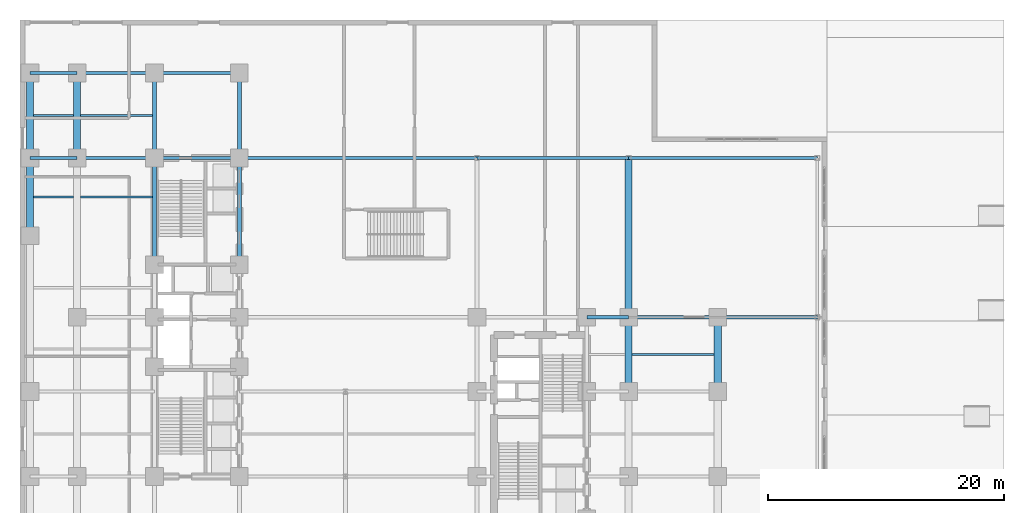
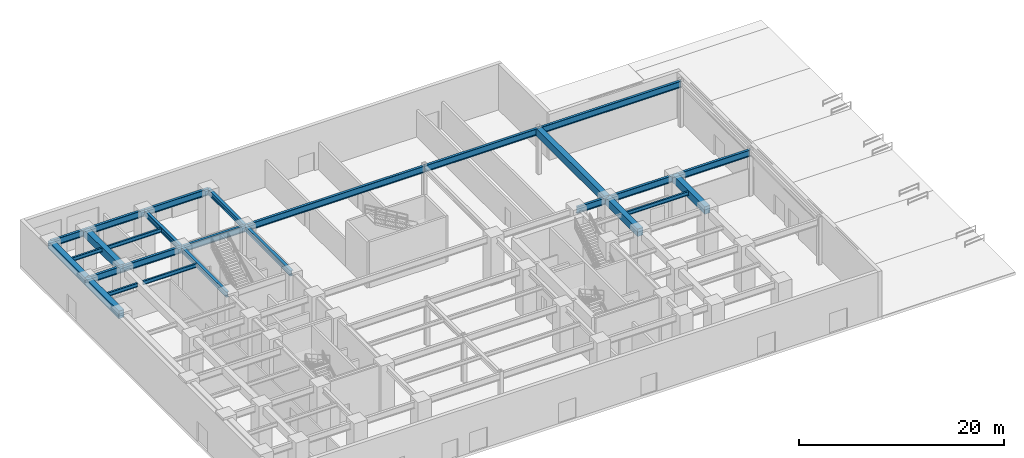
# One storey, part 4 of 18: 27 beams.
"""IFC4 building model written with IfcOpenShell, lengths in metres."""

import ifcopenshell
import ifcopenshell.guid

model = None  # the IFC model being written
_history = None  # IfcOwnerHistory: only IFC2X3 demands one
_inside = {}  # id of a spatial element -> (the spatial element, [elements in it])
_under = {}  # id of a project, library or spatial element -> (it, [spatial elements below it])
_declared = {}  # id of a project -> (the project, [libraries it declares])
_typed = {}  # id of a type object -> (the type object, [elements of that type])
_made_of = {}  # id of a material, layer set ... -> (it, [elements and type objects made of it])


def new_model(schema):
    """Start an empty IFC model of exactly this schema.

    Asked for "IFC4X3", IfcOpenShell would pick the latest addendum, in which some entities
    have other attributes; the version numbers below select the first issue.
    IFC2X3 requires an IfcOwnerHistory on every rooted entity: one is made here for all.
    """
    global model, _history
    if schema == "IFC4X3":
        model = ifcopenshell.file(schema_version=(4, 3, 0, 0))
    else:
        model = ifcopenshell.file(schema=schema)
    _inside.clear()
    _under.clear()
    _declared.clear()
    _typed.clear()
    _made_of.clear()
    _history = None
    if model.schema == "IFC2X3":
        org = make("IfcOrganization", Name="unknown")
        user = make(
            "IfcPersonAndOrganization",
            ThePerson=make("IfcPerson", FamilyName="unknown"),
            TheOrganization=org,
        )
        app = make(
            "IfcApplication",
            ApplicationDeveloper=org,
            Version="unknown",
            ApplicationFullName="unknown",
            ApplicationIdentifier="unknown",
        )
        _history = make(
            "IfcOwnerHistory",
            OwningUser=user,
            OwningApplication=app,
            ChangeAction="ADDED",
            CreationDate=0,
        )
    return model


def make(cls, **values):
    """One entity of the class cls with the attributes given. An attribute that is None is left unset."""
    return model.create_entity(
        cls, **{name: value for name, value in values.items() if value is not None}
    )


def entity(cls, *values):
    """Any entity or typed value of the class cls, its attributes in the order of the schema. None: left unset."""
    e = model.create_entity(cls)
    for i, value in enumerate(values):
        if value is not None:
            e[i] = value
    return e


def rooted(cls, **values):
    """An entity with a GlobalId (a new one), such as an element, a storey or a relation."""
    return make(cls, GlobalId=ifcopenshell.guid.new(), OwnerHistory=_history, **values)


def si_unit(unit_type, name, prefix=None):
    """IfcSIUnit, for example si_unit("LENGTHUNIT", "METRE", prefix="MILLI")."""
    return make("IfcSIUnit", UnitType=unit_type, Prefix=prefix, Name=name)


def converted_unit(unit_type, name, factor, base, dimensions=None, offset=None):
    """IfcConversionBasedUnit, such as the inch: factor (a typed value) times the base unit."""
    return make(
        "IfcConversionBasedUnit"
        if offset is None
        else "IfcConversionBasedUnitWithOffset",
        ConversionOffset=offset,
        Dimensions=None
        if dimensions is None
        else entity("IfcDimensionalExponents", *dimensions),
        UnitType=unit_type,
        Name=name,
        ConversionFactor=make(
            "IfcMeasureWithUnit", ValueComponent=factor, UnitComponent=base
        ),
    )


def assignment(units):
    """IfcUnitAssignment: the units of a project."""
    return None if units is None else make("IfcUnitAssignment", Units=units)


def point(xyz):
    """IfcCartesianPoint."""
    return None if xyz is None else make("IfcCartesianPoint", Coordinates=xyz)


def direction(xyz):
    """IfcDirection."""
    return None if xyz is None else make("IfcDirection", DirectionRatios=xyz)


def frame(location, z_axis=None, x_axis=None):
    """IfcAxis2Placement3D, a coordinate frame: its origin and axes. An axis left out is left unset."""
    return make(
        "IfcAxis2Placement3D",
        Location=point(location),
        Axis=direction(z_axis),
        RefDirection=direction(x_axis),
    )


def frame_2d(location, x_axis=None):
    """IfcAxis2Placement2D, a coordinate frame in the plane: its origin and x axis."""
    return make(
        "IfcAxis2Placement2D", Location=point(location), RefDirection=direction(x_axis)
    )


def origin_with_axes():
    """The frame at (0, 0, 0) with the z axis (0, 0, 1) and the x axis (1, 0, 0) written out."""
    return frame((0.0, 0.0, 0.0), z_axis=(0.0, 0.0, 1.0), x_axis=(1.0, 0.0, 0.0))


def origin_2d_with_axis():
    """The frame at (0, 0) in the plane with the x axis (1, 0) written out."""
    return frame_2d((0.0, 0.0), x_axis=(1.0, 0.0))


def place(relative_to, where):
    """IfcLocalPlacement: puts the frame where relative to a parent placement (None: the world)."""
    return make(
        "IfcLocalPlacement", PlacementRelTo=relative_to, RelativePlacement=where
    )


def context(
    kind, dimensions, precision=None, world=None, true_north=None, identifier=None
):
    """IfcGeometricRepresentationContext, for example the 3D "Model" context."""
    return make(
        "IfcGeometricRepresentationContext",
        ContextIdentifier=identifier,
        ContextType=kind,
        CoordinateSpaceDimension=dimensions,
        Precision=precision,
        WorldCoordinateSystem=world,
        TrueNorth=true_north,
    )


def subcontext(parent, identifier, kind, view, scale=None):
    """IfcGeometricRepresentationSubContext, for example "Body" below "Model"."""
    return make(
        "IfcGeometricRepresentationSubContext",
        ContextIdentifier=identifier,
        ContextType=kind,
        ParentContext=parent,
        TargetScale=scale,
        TargetView=view,
    )


def project(units=None, contexts=None):
    """IfcProject with its units and contexts."""
    return rooted(
        "IfcProject",
        Name="project",
        RepresentationContexts=contexts,
        UnitsInContext=assignment(units),
    )


def spatial(cls, under=None, at=None, **own):
    """A site, building, storey or space (cls), placed at a placement, below another one or the project."""
    s = rooted(cls, ObjectPlacement=at, **own)
    if under is not None:
        _under.setdefault(under.id(), (under, []))[1].append(s)
    return s


def profile(cls, at=None, kind="AREA", **sizes):
    """A parametric profile (cls). Its sizes go by their IFC names, for example OverallWidth=200.0."""
    return make(cls, ProfileType=kind, Position=at, **sizes)


def rectangle(**sizes):
    """IfcRectangleProfileDef."""
    return profile("IfcRectangleProfileDef", **sizes)


def i_section(**sizes):
    """IfcIShapeProfileDef."""
    return profile("IfcIShapeProfileDef", **sizes)


def extrude(swept, where, along, depth):
    """IfcExtrudedAreaSolid: the profile swept, set in the frame where, extruded along a direction by depth."""
    return make(
        "IfcExtrudedAreaSolid",
        SweptArea=swept,
        Position=where,
        ExtrudedDirection=direction(along),
        Depth=depth,
    )


def shape(context_of_items, identifier, shape_type, items):
    """IfcShapeRepresentation: the items that make up one representation, for example the "Body"."""
    return make(
        "IfcShapeRepresentation",
        ContextOfItems=context_of_items,
        RepresentationIdentifier=identifier,
        RepresentationType=shape_type,
        Items=items,
    )


def material(Name=None, Category=None):
    """IfcMaterial."""
    return make("IfcMaterial", Name=Name, Category=Category)


def material_profile(
    of_material, cross_section, Name=None, Category=None, Priority=None
):
    """IfcMaterialProfile: a cross section and its material."""
    return make(
        "IfcMaterialProfile",
        Name=Name,
        Material=of_material,
        Profile=cross_section,
        Priority=Priority,
        Category=Category,
    )


def profile_set(profiles, Name=None, composite=None):
    """IfcMaterialProfileSet."""
    return make(
        "IfcMaterialProfileSet",
        Name=Name,
        MaterialProfiles=profiles,
        CompositeProfile=composite,
    )


def made_of(thing, what):
    """Note that an element or type object is made of a material, layer set ...; save() writes the relation."""
    if what is not None:
        _made_of.setdefault(what.id(), (what, []))[1].append(thing)
    return thing


def type_object(cls, material=None, **own):
    """A type object (cls), such as IfcWallType, which elements share."""
    return made_of(rooted(cls, **own), material)


def element(
    cls,
    number,
    at=None,
    inside=None,
    cuts=None,
    type_object=None,
    material=None,
    context=None,
    identifier="Body",
    shape_type=None,
    held_by="IfcProductDefinitionShape",
    body=None,
    shapes=None,
    **own,
):
    """One element of the class cls, such as IfcWall. Its Tag is "e" and its number.

    at: its placement. inside: the storey or other place that contains it. cuts: it is an
    opening in that element (IfcRelVoidsElement). A single representation is given by context,
    identifier, shape_type and body (its items); several are given by shapes. held_by: the class
    of the entity that holds the representations. save() writes the other relations.
    """
    e = rooted(cls, Tag="e%d" % number, ObjectPlacement=at, **own)
    if body is not None:
        shapes = [shape(context, identifier, shape_type, body)]
    if shapes is not None:
        e.Representation = make(held_by, Representations=shapes)
    if inside is not None:
        _inside.setdefault(inside.id(), (inside, []))[1].append(e)
    if cuts is not None:
        rooted(
            "IfcRelVoidsElement", RelatingBuildingElement=cuts, RelatedOpeningElement=e
        )
    if type_object is not None:
        _typed.setdefault(type_object.id(), (type_object, []))[1].append(e)
    return made_of(e, material)


def aggregate(whole, parts):
    """IfcRelAggregates: a whole, such as a stair, and the parts it consists of."""
    return rooted("IfcRelAggregates", RelatingObject=whole, RelatedObjects=parts)


def save(model, path):
    """Write the relations noted so far, then the file.

    IfcRelAggregates (storeys below a building ...), IfcRelContainedInSpatialStructure (elements
    in a storey), IfcRelDefinesByType, IfcRelAssociatesMaterial and IfcRelDeclares: one each for
    every whole, place, type object, material and project.
    """
    for whole, parts in _under.values():
        aggregate(whole, parts)
    for where, things in _inside.values():
        rooted(
            "IfcRelContainedInSpatialStructure",
            RelatedElements=things,
            RelatingStructure=where,
        )
    for kind, things in _typed.values():
        rooted("IfcRelDefinesByType", RelatedObjects=things, RelatingType=kind)
    for what, things in _made_of.values():
        rooted("IfcRelAssociatesMaterial", RelatedObjects=things, RelatingMaterial=what)
    for by, libraries in _declared.values():
        rooted("IfcRelDeclares", RelatingContext=by, RelatedDefinitions=libraries)
    model.write(path)


model = new_model("IFC4")

# Units and contexts
model_context = context("Model", 3, precision=1e-05, world=origin_with_axes(), true_north=direction((0.0, 1.0)))
body_context = subcontext(model_context, "Body", "Model", "MODEL_VIEW")
ifc_project = project(units=[si_unit("LENGTHUNIT", "METRE"), si_unit("AREAUNIT", "SQUARE_METRE"), si_unit("VOLUMEUNIT", "CUBIC_METRE"), converted_unit("PLANEANGLEUNIT", "DEGREE", entity("IfcPlaneAngleMeasure", 0.017453292519943295), si_unit("PLANEANGLEUNIT", "RADIAN"), dimensions=[0, 0, 0, 0, 0, 0, 0]), si_unit("MASSUNIT", "GRAM", prefix="KILO"), si_unit("THERMODYNAMICTEMPERATUREUNIT", "KELVIN")], contexts=[model_context])

# Site, building, storey
site_placement = place(None, origin_with_axes())
site = spatial("IfcSite", under=ifc_project, at=site_placement, CompositionType="ELEMENT")
building_placement = place(site_placement, origin_with_axes())
building = spatial("IfcBuilding", under=site, at=building_placement, Name="Varnlund Millrace Tower", CompositionType="ELEMENT")
storey_placement = place(building_placement, origin_with_axes())
storey = spatial("IfcBuildingStorey", under=building, at=storey_placement, Name="L00", CompositionType="ELEMENT", Elevation=0.0)

# Beams
ifc_material_1 = material(Name="Steel ASTM A992 Grade 50", Category="steel")
ifc_material_profile_1 = material_profile(ifc_material_1, i_section(OverallWidth=0.328, OverallDepth=0.628, WebThickness=0.0165, FlangeThickness=0.0277, FilletRadius=0.018, at=origin_2d_with_axis()), Name="Steel ASTM A992 Grade 50")
ifc_profile_set_1 = profile_set([ifc_material_profile_1], Name="Steel ASTM A992 Grade 50")
beam_type_1 = type_object("IfcBeamType", Name="Type-Girder-W24X146", PredefinedType="USERDEFINED", material=ifc_profile_set_1)
beam_1_placement = place(storey_placement, frame((11.4, 28.75, 5.146), z_axis=(0.0, 1.0, 0.0), x_axis=(-1.0, 0.0, 0.0)))
element("IfcBeam", 1, at=beam_1_placement, inside=storey, type_object=beam_type_1, Name="Type-Girder-W24X146", ObjectType="GIRDER", PredefinedType="USERDEFINED", context=body_context, shape_type="SweptSolid", body=[
    extrude(i_section(OverallWidth=0.328, OverallDepth=0.628, WebThickness=0.0165, FlangeThickness=0.0277, FilletRadius=0.018, at=origin_2d_with_axis()), origin_with_axes(), (0.0, 0.0, 1.0), 9.05),
])
beam_2_placement = place(storey_placement, frame((11.4, 37.8, 5.146), z_axis=(0.0, 1.0, 0.0), x_axis=(-1.0, 0.0, 0.0)))
element("IfcBeam", 2, at=beam_2_placement, inside=storey, type_object=beam_type_1, Name="Type-Girder-W24X146", ObjectType="GIRDER", PredefinedType="USERDEFINED", context=body_context, shape_type="SweptSolid", body=[
    extrude(i_section(OverallWidth=0.328, OverallDepth=0.628, WebThickness=0.0165, FlangeThickness=0.0277, FilletRadius=0.018, at=origin_2d_with_axis()), origin_with_axes(), (0.0, 0.0, 1.0), 7.2),
])
beam_3_placement = place(storey_placement, frame((18.6, 28.75, 5.146), z_axis=(0.0, 1.0, 0.0), x_axis=(-1.0, 0.0, 0.0)))
element("IfcBeam", 3, at=beam_3_placement, inside=storey, type_object=beam_type_1, Name="Type-Girder-W24X146", ObjectType="GIRDER", PredefinedType="USERDEFINED", context=body_context, shape_type="SweptSolid", body=[
    extrude(i_section(OverallWidth=0.328, OverallDepth=0.628, WebThickness=0.0165, FlangeThickness=0.0277, FilletRadius=0.018, at=origin_2d_with_axis()), origin_with_axes(), (0.0, 0.0, 1.0), 9.05),
])
beam_4_placement = place(storey_placement, frame((18.6, 37.8, 5.146), z_axis=(0.0, 1.0, 0.0), x_axis=(-1.0, 0.0, 0.0)))
element("IfcBeam", 4, at=beam_4_placement, inside=storey, type_object=beam_type_1, Name="Type-Girder-W24X146", ObjectType="GIRDER", PredefinedType="USERDEFINED", context=body_context, shape_type="SweptSolid", body=[
    extrude(i_section(OverallWidth=0.328, OverallDepth=0.628, WebThickness=0.0165, FlangeThickness=0.0277, FilletRadius=0.018, at=origin_2d_with_axis()), origin_with_axes(), (0.0, 0.0, 1.0), 7.2),
])
ifc_material_profile_2 = material_profile(ifc_material_1, i_section(OverallWidth=0.266, OverallDepth=0.779, WebThickness=0.0165, FlangeThickness=0.03, FilletRadius=0.02, at=origin_2d_with_axis()), Name="Steel ASTM A992 Grade 50")
ifc_profile_set_2 = profile_set([ifc_material_profile_2], Name="Steel ASTM A992 Grade 50")
beam_type_2 = type_object("IfcBeamType", Name="Type-Girder-W30X148", PredefinedType="USERDEFINED", material=ifc_profile_set_2)
beam_5_placement = place(storey_placement, frame((48.05, 24.3, 5.0705), z_axis=(1.0, 0.0, 0.0), x_axis=(0.0, 1.0, 0.0)))
element("IfcBeam", 5, at=beam_5_placement, inside=storey, type_object=beam_type_2, Name="Type-Girder-W30X148", ObjectType="GIRDER", PredefinedType="USERDEFINED", context=body_context, shape_type="SweptSolid", body=[
    extrude(i_section(OverallWidth=0.266, OverallDepth=0.779, WebThickness=0.0165, FlangeThickness=0.03, FilletRadius=0.02, at=origin_2d_with_axis()), origin_with_axes(), (0.0, 0.0, 1.0), 3.55),
])
beam_6_placement = place(storey_placement, frame((51.6, 24.3, 5.0705), z_axis=(1.0, 0.0, 0.0), x_axis=(0.0, 1.0, 0.0)))
element("IfcBeam", 6, at=beam_6_placement, inside=storey, type_object=beam_type_2, Name="Type-Girder-W30X148", ObjectType="GIRDER", PredefinedType="USERDEFINED", context=body_context, shape_type="SweptSolid", body=[
    extrude(i_section(OverallWidth=0.266, OverallDepth=0.779, WebThickness=0.0165, FlangeThickness=0.03, FilletRadius=0.02, at=origin_2d_with_axis()), origin_with_axes(), (0.0, 0.0, 1.0), 7.55),
])
beam_7_placement = place(storey_placement, frame((59.15, 24.3, 5.0705), z_axis=(1.0, 0.0, 0.0), x_axis=(0.0, 1.0, 0.0)))
element("IfcBeam", 7, at=beam_7_placement, inside=storey, type_object=beam_type_2, Name="Type-Girder-W30X148", ObjectType="GIRDER", PredefinedType="USERDEFINED", context=body_context, shape_type="SweptSolid", body=[
    extrude(i_section(OverallWidth=0.266, OverallDepth=0.779, WebThickness=0.0165, FlangeThickness=0.03, FilletRadius=0.02, at=origin_2d_with_axis()), origin_with_axes(), (0.0, 0.0, 1.0), 8.45),
])
beam_8_placement = place(storey_placement, frame((0.85, 37.8, 5.0705), z_axis=(1.0, 0.0, 0.0), x_axis=(0.0, 1.0, 0.0)))
element("IfcBeam", 8, at=beam_8_placement, inside=storey, type_object=beam_type_2, Name="Type-Girder-W30X148", ObjectType="GIRDER", PredefinedType="USERDEFINED", context=body_context, shape_type="SweptSolid", body=[
    extrude(i_section(OverallWidth=0.266, OverallDepth=0.779, WebThickness=0.0165, FlangeThickness=0.03, FilletRadius=0.02, at=origin_2d_with_axis()), origin_with_axes(), (0.0, 0.0, 1.0), 4.0),
])
beam_9_placement = place(storey_placement, frame((4.85, 37.8, 5.0705), z_axis=(1.0, 0.0, 0.0), x_axis=(0.0, 1.0, 0.0)))
element("IfcBeam", 9, at=beam_9_placement, inside=storey, type_object=beam_type_2, Name="Type-Girder-W30X148", ObjectType="GIRDER", PredefinedType="USERDEFINED", context=body_context, shape_type="SweptSolid", body=[
    extrude(i_section(OverallWidth=0.266, OverallDepth=0.779, WebThickness=0.0165, FlangeThickness=0.03, FilletRadius=0.02, at=origin_2d_with_axis()), origin_with_axes(), (0.0, 0.0, 1.0), 6.55),
])
beam_10_placement = place(storey_placement, frame((11.4, 37.8, 5.0705), z_axis=(1.0, 0.0, 0.0), x_axis=(0.0, 1.0, 0.0)))
element("IfcBeam", 10, at=beam_10_placement, inside=storey, type_object=beam_type_2, Name="Type-Girder-W30X148", ObjectType="GIRDER", PredefinedType="USERDEFINED", context=body_context, shape_type="SweptSolid", body=[
    extrude(i_section(OverallWidth=0.266, OverallDepth=0.779, WebThickness=0.0165, FlangeThickness=0.03, FilletRadius=0.02, at=origin_2d_with_axis()), origin_with_axes(), (0.0, 0.0, 1.0), 7.2),
])
beam_11_placement = place(storey_placement, frame((18.6, 37.8, 5.0705), z_axis=(1.0, 0.0, 0.0), x_axis=(0.0, 1.0, 0.0)))
element("IfcBeam", 11, at=beam_11_placement, inside=storey, type_object=beam_type_2, Name="Type-Girder-W30X148", ObjectType="GIRDER", PredefinedType="USERDEFINED", context=body_context, shape_type="SweptSolid", body=[
    extrude(i_section(OverallWidth=0.266, OverallDepth=0.779, WebThickness=0.0165, FlangeThickness=0.03, FilletRadius=0.02, at=origin_2d_with_axis()), origin_with_axes(), (0.0, 0.0, 1.0), 20.15),
])
beam_12_placement = place(storey_placement, frame((38.75, 37.8, 5.0705), z_axis=(1.0, 0.0, 0.0), x_axis=(0.0, 1.0, 0.0)))
element("IfcBeam", 12, at=beam_12_placement, inside=storey, type_object=beam_type_2, Name="Type-Girder-W30X148", ObjectType="GIRDER", PredefinedType="USERDEFINED", context=body_context, shape_type="SweptSolid", body=[
    extrude(i_section(OverallWidth=0.266, OverallDepth=0.779, WebThickness=0.0165, FlangeThickness=0.03, FilletRadius=0.02, at=origin_2d_with_axis()), origin_with_axes(), (0.0, 0.0, 1.0), 12.85),
])
beam_13_placement = place(storey_placement, frame((51.6, 37.8, 5.0705), z_axis=(1.0, 0.0, 0.0), x_axis=(0.0, 1.0, 0.0)))
element("IfcBeam", 13, at=beam_13_placement, inside=storey, type_object=beam_type_2, Name="Type-Girder-W30X148", ObjectType="GIRDER", PredefinedType="USERDEFINED", context=body_context, shape_type="SweptSolid", body=[
    extrude(i_section(OverallWidth=0.266, OverallDepth=0.779, WebThickness=0.0165, FlangeThickness=0.03, FilletRadius=0.02, at=origin_2d_with_axis()), origin_with_axes(), (0.0, 0.0, 1.0), 16.0),
])
beam_14_placement = place(storey_placement, frame((0.85, 45.0, 5.0705), z_axis=(1.0, 0.0, 0.0), x_axis=(0.0, 1.0, 0.0)))
element("IfcBeam", 14, at=beam_14_placement, inside=storey, type_object=beam_type_2, Name="Type-Girder-W30X148", ObjectType="GIRDER", PredefinedType="USERDEFINED", context=body_context, shape_type="SweptSolid", body=[
    extrude(i_section(OverallWidth=0.266, OverallDepth=0.779, WebThickness=0.0165, FlangeThickness=0.03, FilletRadius=0.02, at=origin_2d_with_axis()), origin_with_axes(), (0.0, 0.0, 1.0), 4.0),
])
beam_15_placement = place(storey_placement, frame((4.85, 45.0, 5.0705), z_axis=(1.0, 0.0, 0.0), x_axis=(0.0, 1.0, 0.0)))
element("IfcBeam", 15, at=beam_15_placement, inside=storey, type_object=beam_type_2, Name="Type-Girder-W30X148", ObjectType="GIRDER", PredefinedType="USERDEFINED", context=body_context, shape_type="SweptSolid", body=[
    extrude(i_section(OverallWidth=0.266, OverallDepth=0.779, WebThickness=0.0165, FlangeThickness=0.03, FilletRadius=0.02, at=origin_2d_with_axis()), origin_with_axes(), (0.0, 0.0, 1.0), 6.55),
])
beam_16_placement = place(storey_placement, frame((11.4, 45.0, 5.0705), z_axis=(1.0, 0.0, 0.0), x_axis=(0.0, 1.0, 0.0)))
element("IfcBeam", 16, at=beam_16_placement, inside=storey, type_object=beam_type_2, Name="Type-Girder-W30X148", ObjectType="GIRDER", PredefinedType="USERDEFINED", context=body_context, shape_type="SweptSolid", body=[
    extrude(i_section(OverallWidth=0.266, OverallDepth=0.779, WebThickness=0.0165, FlangeThickness=0.03, FilletRadius=0.02, at=origin_2d_with_axis()), origin_with_axes(), (0.0, 0.0, 1.0), 7.2),
])
ifc_material_profile_3 = material_profile(ifc_material_1, i_section(OverallWidth=0.191, OverallDepth=0.457, WebThickness=0.009, FlangeThickness=0.0145, FilletRadius=0.013, at=origin_2d_with_axis()), Name="Steel ASTM A992 Grade 50")
ifc_profile_set_3 = profile_set([ifc_material_profile_3], Name="Steel ASTM A992 Grade 50")
beam_type_3 = type_object("IfcBeamType", Name="Type-Joist-W18X50", PredefinedType="JOIST", material=ifc_profile_set_3)
for number, where, z_axis, x_axis, name in (
    (17, (1.15, 34.5, 5.2315), (1.0, 0.0, 0.0), (0.0, 1.0, 0.0), "Type-Joist-W18X50"),
    (18, (1.15, 41.4, 5.2315), (1.0, 0.0, 0.0), (0.0, 1.0, 0.0), "Type-Joist-W18X50"),
):
    element("IfcBeam", number, at=place(storey_placement, frame(where, z_axis=z_axis, x_axis=x_axis)), inside=storey, type_object=beam_type_3, Name=name, PredefinedType="JOIST", context=body_context, shape_type="SweptSolid", body=[
        extrude(i_section(OverallWidth=0.191, OverallDepth=0.457, WebThickness=0.009, FlangeThickness=0.0145, FilletRadius=0.013, at=origin_2d_with_axis()), origin_with_axes(), (0.0, 0.0, 1.0), 3.4),
    ])
for number, where, z_axis, x_axis, name in (
    (19, (5.15, 34.5, 5.2315), (1.0, 0.0, 0.0), (0.0, 1.0, 0.0), "Type-Joist-W18X50"),
    (20, (5.15, 41.4, 5.2315), (1.0, 0.0, 0.0), (0.0, 1.0, 0.0), "Type-Joist-W18X50"),
):
    element("IfcBeam", number, at=place(storey_placement, frame(where, z_axis=z_axis, x_axis=x_axis)), inside=storey, type_object=beam_type_3, Name=name, PredefinedType="JOIST", context=body_context, shape_type="SweptSolid", body=[
        extrude(i_section(OverallWidth=0.191, OverallDepth=0.457, WebThickness=0.009, FlangeThickness=0.0145, FilletRadius=0.013, at=origin_2d_with_axis()), origin_with_axes(), (0.0, 0.0, 1.0), 6.086),
    ])
beam_17_placement = place(storey_placement, frame((51.9, 21.15, 5.2315), z_axis=(1.0, 0.0, 0.0), x_axis=(0.0, 1.0, 0.0)))
element("IfcBeam", 21, at=beam_17_placement, inside=storey, type_object=beam_type_3, Name="Type-Joist-W18X50", PredefinedType="JOIST", context=body_context, shape_type="SweptSolid", body=[
    extrude(i_section(OverallWidth=0.191, OverallDepth=0.457, WebThickness=0.009, FlangeThickness=0.0145, FilletRadius=0.013, at=origin_2d_with_axis()), origin_with_axes(), (0.0, 0.0, 1.0), 6.95),
])
ifc_material_2 = material(Name="Concrete C70/85", Category="concrete")
ifc_material_profile_4 = material_profile(ifc_material_2, rectangle(XDim=0.6, YDim=0.9, at=origin_2d_with_axis()), Name="Concrete C70/85")
ifc_profile_set_4 = profile_set([ifc_material_profile_4], Name="Concrete C70/85")
beam_type_4 = type_object("IfcBeamType", Name="Type-Spandrel-RC600X900", PredefinedType="SPANDREL", material=ifc_profile_set_4)
beam_18_placement = place(storey_placement, frame((0.85, 31.2, 5.01), z_axis=(0.0, 1.0, 0.0), x_axis=(-1.0, 0.0, 0.0)))
element("IfcBeam", 22, at=beam_18_placement, inside=storey, type_object=beam_type_4, Name="Type-Spandrel-RC600X900", PredefinedType="SPANDREL", context=body_context, shape_type="SweptSolid", body=[
    extrude(rectangle(XDim=0.6, YDim=0.9, at=origin_2d_with_axis()), origin_with_axes(), (0.0, 0.0, 1.0), 6.6),
])
for number, where, z_axis, x_axis, name in (
    (23, (0.85, 37.8, 5.01), (0.0, 1.0, 0.0), (-1.0, 0.0, 0.0), "Type-Spandrel-RC600X900"),
    (24, (4.85, 37.8, 5.01), (0.0, 1.0, 0.0), (-1.0, 0.0, 0.0), "Type-Spandrel-RC600X900"),
):
    element("IfcBeam", number, at=place(storey_placement, frame(where, z_axis=z_axis, x_axis=x_axis)), inside=storey, type_object=beam_type_4, Name=name, PredefinedType="SPANDREL", context=body_context, shape_type="SweptSolid", body=[
        extrude(rectangle(XDim=0.6, YDim=0.9, at=origin_2d_with_axis()), origin_with_axes(), (0.0, 0.0, 1.0), 7.2),
    ])
beam_19_placement = place(storey_placement, frame((51.6, 18.0, 5.01), z_axis=(0.0, 1.0, 0.0), x_axis=(-1.0, 0.0, 0.0)))
element("IfcBeam", 25, at=beam_19_placement, inside=storey, type_object=beam_type_4, Name="Type-Spandrel-RC600X900", PredefinedType="SPANDREL", context=body_context, shape_type="SweptSolid", body=[
    extrude(rectangle(XDim=0.6, YDim=0.9, at=origin_2d_with_axis()), origin_with_axes(), (0.0, 0.0, 1.0), 6.3),
])
beam_20_placement = place(storey_placement, frame((51.6, 24.3, 5.01), z_axis=(0.0, 1.0, 0.0), x_axis=(-1.0, 0.0, 0.0)))
element("IfcBeam", 26, at=beam_20_placement, inside=storey, type_object=beam_type_4, Name="Type-Spandrel-RC600X900", PredefinedType="SPANDREL", context=body_context, shape_type="SweptSolid", body=[
    extrude(rectangle(XDim=0.6, YDim=0.9, at=origin_2d_with_axis()), origin_with_axes(), (0.0, 0.0, 1.0), 13.5),
])
beam_21_placement = place(storey_placement, frame((59.15, 18.0, 5.01), z_axis=(0.0, 1.0, 0.0), x_axis=(-1.0, 0.0, 0.0)))
element("IfcBeam", 27, at=beam_21_placement, inside=storey, type_object=beam_type_4, Name="Type-Spandrel-RC600X900", PredefinedType="SPANDREL", context=body_context, shape_type="SweptSolid", body=[
    extrude(rectangle(XDim=0.6, YDim=0.9, at=origin_2d_with_axis()), origin_with_axes(), (0.0, 0.0, 1.0), 6.3),
])

save(model, "model.ifc")
